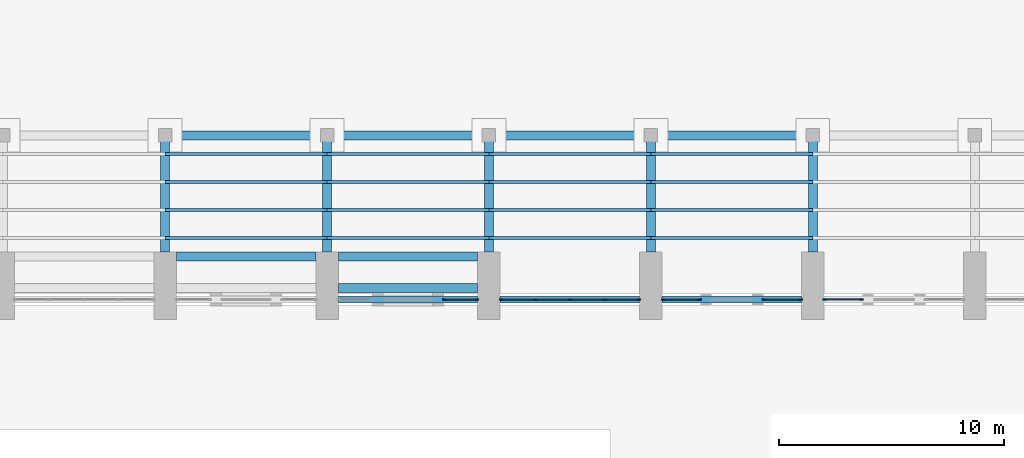
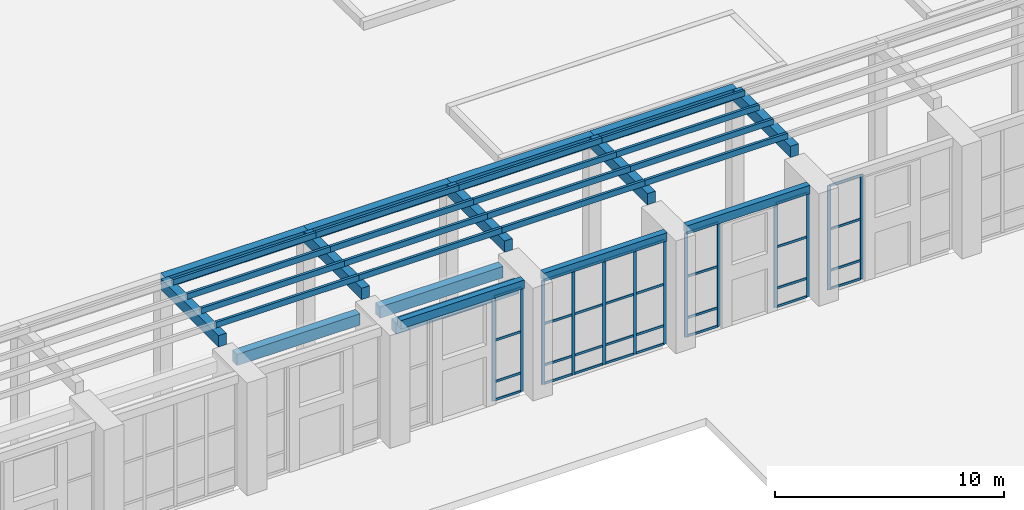
# One storey, part 18 of 70: 61 members, 15 beams, 5 elements without a shape of their own.
"""IFC4 building model written with IfcOpenShell, lengths in metres."""

from ifc_helpers import new_model, si_unit, direction, frame, origin, origin_2d, place, context, subcontext, project, spatial, rectangle, extrude, material, material_profile, profile_set, type_object, element, aggregate, save


model = new_model("IFC4")

# Units and contexts
model_context = context("Model", 3, precision=1e-05, world=origin(), true_north=direction((0.0, 1.0)))
body_context = subcontext(model_context, "Body", "Model", "MODEL_VIEW")
ifc_project = project(units=[si_unit("LENGTHUNIT", "METRE"), si_unit("AREAUNIT", "SQUARE_METRE"), si_unit("VOLUMEUNIT", "CUBIC_METRE"), si_unit("PLANEANGLEUNIT", "RADIAN"), si_unit("MASSUNIT", "GRAM", prefix="KILO")], contexts=[model_context])

# Site, building, storey
site_placement = place(None, origin())
site = spatial("IfcSite", under=ifc_project, at=site_placement, CompositionType="ELEMENT")
building_placement = place(site_placement, origin())
building = spatial("IfcBuilding", under=site, at=building_placement, Name="Vermilion Court Aquatics Centre", CompositionType="ELEMENT")
storey_placement = place(building_placement, origin())
storey = spatial("IfcBuildingStorey", under=building, at=storey_placement, Name="L00", CompositionType="ELEMENT", Elevation=0.0)

# Beams
ifc_material_1 = material(Name="Concrete 5000 psi", Category="concrete")
ifc_material_profile_1 = material_profile(ifc_material_1, rectangle(XDim=0.39990234375, YDim=0.60009765625, at=origin_2d()), Name="RC 400x600")
ifc_profile_set_1 = profile_set([ifc_material_profile_1], Name="Concrete 5000 psi")
beam_type_1 = type_object("IfcBeamType", Name="Court arcade beam RC 400x600", PredefinedType="BEAM", material=ifc_profile_set_1)
for number, where, z_axis, x_axis, name in (
    (1, (79.199951171875, 66.89990234375, 6.300048828125), (0.0, 1.0, 0.0), (-1.0, 0.0, 0.0), "Court arcade cross beam 10"),
    (2, (86.39990234375, 66.89990234375, 6.300048828125), (0.0, 1.0, 0.0), (-1.0, 0.0, 0.0), "Court arcade cross beam 11"),
    (3, (93.60009765625, 66.89990234375, 6.300048828125), (0.0, 1.0, 0.0), (-1.0, 0.0, 0.0), "Court arcade cross beam 12"),
    (4, (100.800048828125, 66.89990234375, 6.300048828125), (0.0, 1.0, 0.0), (-1.0, 0.0, 0.0), "Court arcade cross beam 13"),
    (5, (108.0, 66.89990234375, 6.300048828125), (0.0, 1.0, 0.0), (-1.0, 0.0, 0.0), "Court arcade cross beam 14"),
):
    element("IfcBeam", number, at=place(storey_placement, frame(where, z_axis=z_axis, x_axis=x_axis)), inside=storey, type_object=beam_type_1, Name=name, PredefinedType="BEAM", context=body_context, shape_type="SweptSolid", body=[
        extrude(rectangle(XDim=0.39990234375, YDim=0.60009765625, at=origin_2d()), origin(), (0.0, 0.0, 1.0), 5.0),
    ])
beam_1_placement = place(storey_placement, frame((79.199951171875, 72.10009765625, 6.300048828125), z_axis=(1.0, 0.0, 0.0), x_axis=(0.0, 1.0, 0.0)))
element("IfcBeam", 6, at=beam_1_placement, inside=storey, type_object=beam_type_1, Name="Court arcade edge beam 10", PredefinedType="BEAM", context=body_context, shape_type="SweptSolid", body=[
    extrude(rectangle(XDim=0.39990234375, YDim=0.60009765625, at=origin_2d()), origin(), (0.0, 0.0, 1.0), 7.199951171875),
])
beam_2_placement = place(storey_placement, frame((86.39990234375, 72.10009765625, 6.300048828125), z_axis=(1.0, 0.0, 0.0), x_axis=(0.0, 1.0, 0.0)))
element("IfcBeam", 7, at=beam_2_placement, inside=storey, type_object=beam_type_1, Name="Court arcade edge beam 11", PredefinedType="BEAM", context=body_context, shape_type="SweptSolid", body=[
    extrude(rectangle(XDim=0.39990234375, YDim=0.60009765625, at=origin_2d()), origin(), (0.0, 0.0, 1.0), 7.2001953125),
])
for number, where, z_axis, x_axis, name in (
    (8, (93.60009765625, 72.10009765625, 6.300048828125), (1.0, 0.0, 0.0), (0.0, 1.0, 0.0), "Court arcade edge beam 12"),
    (9, (100.800048828125, 72.10009765625, 6.300048828125), (1.0, 0.0, 0.0), (0.0, 1.0, 0.0), "Court arcade edge beam 13"),
):
    element("IfcBeam", number, at=place(storey_placement, frame(where, z_axis=z_axis, x_axis=x_axis)), inside=storey, type_object=beam_type_1, Name=name, PredefinedType="BEAM", context=body_context, shape_type="SweptSolid", body=[
        extrude(rectangle(XDim=0.39990234375, YDim=0.60009765625, at=origin_2d()), origin(), (0.0, 0.0, 1.0), 7.199951171875),
    ])

# Members
ifc_material_2 = material(Name="Glulam 24F-V4 Douglas fir", Category="wood")
ifc_material_profile_2 = material_profile(ifc_material_2, rectangle(XDim=0.1298828125, YDim=0.300048828125, at=origin_2d()), Name="GL24F 130x300")
ifc_profile_set_2 = profile_set([ifc_material_profile_2], Name="Glulam 24F-V4 Douglas fir")
member_type_1 = type_object("IfcMemberType", Name="Court arcade glulam slat GL24F 130x300", PredefinedType="MEMBER", material=ifc_profile_set_2)
for number, where, z_axis, x_axis, name in (
    (10, (79.199951171875, 67.52490234375, 6.75), (1.0, 0.0, 0.0), (0.0, 1.0, 0.0), "Court arcade slat 10.1"),
    (11, (79.199951171875, 68.77490234375, 6.75), (1.0, 0.0, 0.0), (0.0, 1.0, 0.0), "Court arcade slat 10.2"),
    (12, (79.199951171875, 70.02490234375, 6.75), (1.0, 0.0, 0.0), (0.0, 1.0, 0.0), "Court arcade slat 10.3"),
    (13, (79.199951171875, 71.27490234375, 6.75), (1.0, 0.0, 0.0), (0.0, 1.0, 0.0), "Court arcade slat 10.4"),
):
    element("IfcMember", number, at=place(storey_placement, frame(where, z_axis=z_axis, x_axis=x_axis)), inside=storey, type_object=member_type_1, Name=name, PredefinedType="MEMBER", context=body_context, shape_type="SweptSolid", body=[
        extrude(rectangle(XDim=0.1298828125, YDim=0.300048828125, at=origin_2d()), origin(), (0.0, 0.0, 1.0), 7.199951171875),
    ])
for number, where, z_axis, x_axis, name in (
    (14, (86.39990234375, 67.52490234375, 6.75), (1.0, 0.0, 0.0), (0.0, 1.0, 0.0), "Court arcade slat 11.1"),
    (15, (86.39990234375, 68.77490234375, 6.75), (1.0, 0.0, 0.0), (0.0, 1.0, 0.0), "Court arcade slat 11.2"),
    (16, (86.39990234375, 70.02490234375, 6.75), (1.0, 0.0, 0.0), (0.0, 1.0, 0.0), "Court arcade slat 11.3"),
    (17, (86.39990234375, 71.27490234375, 6.75), (1.0, 0.0, 0.0), (0.0, 1.0, 0.0), "Court arcade slat 11.4"),
):
    element("IfcMember", number, at=place(storey_placement, frame(where, z_axis=z_axis, x_axis=x_axis)), inside=storey, type_object=member_type_1, Name=name, PredefinedType="MEMBER", context=body_context, shape_type="SweptSolid", body=[
        extrude(rectangle(XDim=0.1298828125, YDim=0.300048828125, at=origin_2d()), origin(), (0.0, 0.0, 1.0), 7.2001953125),
    ])
for number, where, z_axis, x_axis, name in (
    (18, (93.60009765625, 67.52490234375, 6.75), (1.0, 0.0, 0.0), (0.0, 1.0, 0.0), "Court arcade slat 12.1"),
    (19, (93.60009765625, 68.77490234375, 6.75), (1.0, 0.0, 0.0), (0.0, 1.0, 0.0), "Court arcade slat 12.2"),
    (20, (93.60009765625, 70.02490234375, 6.75), (1.0, 0.0, 0.0), (0.0, 1.0, 0.0), "Court arcade slat 12.3"),
    (21, (93.60009765625, 71.27490234375, 6.75), (1.0, 0.0, 0.0), (0.0, 1.0, 0.0), "Court arcade slat 12.4"),
    (22, (100.800048828125, 67.52490234375, 6.75), (1.0, 0.0, 0.0), (0.0, 1.0, 0.0), "Court arcade slat 13.1"),
    (23, (100.800048828125, 68.77490234375, 6.75), (1.0, 0.0, 0.0), (0.0, 1.0, 0.0), "Court arcade slat 13.2"),
    (24, (100.800048828125, 70.02490234375, 6.75), (1.0, 0.0, 0.0), (0.0, 1.0, 0.0), "Court arcade slat 13.3"),
    (25, (100.800048828125, 71.27490234375, 6.75), (1.0, 0.0, 0.0), (0.0, 1.0, 0.0), "Court arcade slat 13.4"),
):
    element("IfcMember", number, at=place(storey_placement, frame(where, z_axis=z_axis, x_axis=x_axis)), inside=storey, type_object=member_type_1, Name=name, PredefinedType="MEMBER", context=body_context, shape_type="SweptSolid", body=[
        extrude(rectangle(XDim=0.1298828125, YDim=0.300048828125, at=origin_2d()), origin(), (0.0, 0.0, 1.0), 7.199951171875),
    ])

# Curtain wall, members
ifc_material_3 = material(Name="Aluminium 6063-T5", Category="aluminium")
curtain_wall_type = type_object("IfcCurtainWallType", Name="Envelope curtain wall hall glazing L00", PredefinedType="NOTDEFINED", material=ifc_material_3)
curtain_wall_1_placement = place(storey_placement, origin())
curtain_wall_1 = element("IfcCurtainWall", 26, at=curtain_wall_1_placement, inside=storey, type_object=curtain_wall_type, Name="Hall entrance sidelight bay 11 L00 E", PredefinedType="NOTDEFINED")
ifc_material_4 = material(Name="Aluminium 6063-T5", Category="aluminium")
ifc_material_profile_3 = material_profile(ifc_material_4, rectangle(XDim=0.06005859375, YDim=0.159912109375, at=origin_2d()), Name="AL 60x160")
ifc_profile_set_3 = profile_set([ifc_material_profile_3], Name="Aluminium 6063-T5")
member_type_2 = type_object("IfcMemberType", Name="Envelope aluminium mullion 60x160", PredefinedType="MULLION", material=ifc_profile_set_3)
member_1_placement = place(storey_placement, frame((91.6298828125, 64.800048828125, 0.0), z_axis=(0.0, 0.0, 1.0), x_axis=(0.0, 1.0, 0.0)))
member_1 = element("IfcMember", 27, at=member_1_placement, type_object=member_type_2, Name="ECW1 mullion 1", PredefinedType="MULLION", context=body_context, shape_type="SweptSolid", body=[
    extrude(rectangle(XDim=0.06005859375, YDim=0.159912109375, at=origin_2d()), origin(), (0.0, 0.0, 1.0), 5.550048828125),
])
member_2_placement = place(storey_placement, frame((93.070068359375, 64.800048828125, 0.0), z_axis=(0.0, 0.0, 1.0), x_axis=(0.0, 1.0, 0.0)))
member_2 = element("IfcMember", 28, at=member_2_placement, type_object=member_type_2, Name="ECW1 mullion 2", PredefinedType="MULLION", context=body_context, shape_type="SweptSolid", body=[
    extrude(rectangle(XDim=0.06005859375, YDim=0.159912109375, at=origin_2d()), origin(), (0.0, 0.0, 1.0), 5.550048828125),
])

curtain_wall_2_placement = place(storey_placement, origin())
curtain_wall_2 = element("IfcCurtainWall", 29, at=curtain_wall_2_placement, inside=storey, type_object=curtain_wall_type, Name="Hall glazing bay 12 L00", PredefinedType="NOTDEFINED")
member_3_placement = place(storey_placement, frame((94.1298828125, 64.800048828125, 0.0), z_axis=(0.0, 0.0, 1.0), x_axis=(0.0, 1.0, 0.0)))
member_3 = element("IfcMember", 30, at=member_3_placement, type_object=member_type_2, Name="ECW1 mullion 1", PredefinedType="MULLION", context=body_context, shape_type="SweptSolid", body=[
    extrude(rectangle(XDim=0.06005859375, YDim=0.159912109375, at=origin_2d()), origin(), (0.0, 0.0, 1.0), 5.550048828125),
])
member_4_placement = place(storey_placement, frame((95.64990234375, 64.800048828125, 0.0), z_axis=(0.0, 0.0, 1.0), x_axis=(0.0, 1.0, 0.0)))
member_4 = element("IfcMember", 31, at=member_4_placement, type_object=member_type_2, Name="ECW1 mullion 2", PredefinedType="MULLION", context=body_context, shape_type="SweptSolid", body=[
    extrude(rectangle(XDim=0.06005859375, YDim=0.159912109375, at=origin_2d()), origin(), (0.0, 0.0, 1.0), 5.550048828125),
])
member_5_placement = place(storey_placement, frame((97.199951171875, 64.800048828125, 0.0), z_axis=(0.0, 0.0, 1.0), x_axis=(0.0, 1.0, 0.0)))
member_5 = element("IfcMember", 32, at=member_5_placement, type_object=member_type_2, Name="ECW1 mullion 3", PredefinedType="MULLION", context=body_context, shape_type="SweptSolid", body=[
    extrude(rectangle(XDim=0.06005859375, YDim=0.159912109375, at=origin_2d()), origin(), (0.0, 0.0, 1.0), 5.550048828125),
])
member_6_placement = place(storey_placement, frame((98.75, 64.800048828125, 0.0), z_axis=(0.0, 0.0, 1.0), x_axis=(0.0, 1.0, 0.0)))
member_6 = element("IfcMember", 33, at=member_6_placement, type_object=member_type_2, Name="ECW1 mullion 4", PredefinedType="MULLION", context=body_context, shape_type="SweptSolid", body=[
    extrude(rectangle(XDim=0.06005859375, YDim=0.159912109375, at=origin_2d()), origin(), (0.0, 0.0, 1.0), 5.550048828125),
])
member_7_placement = place(storey_placement, frame((100.27001953125, 64.800048828125, 0.0), z_axis=(0.0, 0.0, 1.0), x_axis=(0.0, 1.0, 0.0)))
member_7 = element("IfcMember", 34, at=member_7_placement, type_object=member_type_2, Name="ECW1 mullion 5", PredefinedType="MULLION", context=body_context, shape_type="SweptSolid", body=[
    extrude(rectangle(XDim=0.06005859375, YDim=0.159912109375, at=origin_2d()), origin(), (0.0, 0.0, 1.0), 5.550048828125),
])

curtain_wall_3_placement = place(storey_placement, origin())
curtain_wall_3 = element("IfcCurtainWall", 35, at=curtain_wall_3_placement, inside=storey, type_object=curtain_wall_type, Name="Hall entrance sidelight bay 13 L00 W", PredefinedType="NOTDEFINED")
member_8_placement = place(storey_placement, frame((101.330078125, 64.800048828125, 0.0), z_axis=(0.0, 0.0, 1.0), x_axis=(0.0, 1.0, 0.0)))
member_8 = element("IfcMember", 36, at=member_8_placement, type_object=member_type_2, Name="ECW1 mullion 1", PredefinedType="MULLION", context=body_context, shape_type="SweptSolid", body=[
    extrude(rectangle(XDim=0.06005859375, YDim=0.159912109375, at=origin_2d()), origin(), (0.0, 0.0, 1.0), 5.550048828125),
])
member_9_placement = place(storey_placement, frame((102.969970703125, 64.800048828125, 0.0), z_axis=(0.0, 0.0, 1.0), x_axis=(0.0, 1.0, 0.0)))
member_9 = element("IfcMember", 37, at=member_9_placement, type_object=member_type_2, Name="ECW1 mullion 2", PredefinedType="MULLION", context=body_context, shape_type="SweptSolid", body=[
    extrude(rectangle(XDim=0.06005859375, YDim=0.159912109375, at=origin_2d()), origin(), (0.0, 0.0, 1.0), 5.550048828125),
])

curtain_wall_4_placement = place(storey_placement, origin())
curtain_wall_4 = element("IfcCurtainWall", 38, at=curtain_wall_4_placement, inside=storey, type_object=curtain_wall_type, Name="Hall entrance sidelight bay 13 L00 E", PredefinedType="NOTDEFINED")
member_10_placement = place(storey_placement, frame((105.830078125, 64.800048828125, 0.0), z_axis=(0.0, 0.0, 1.0), x_axis=(0.0, 1.0, 0.0)))
member_10 = element("IfcMember", 39, at=member_10_placement, type_object=member_type_2, Name="ECW1 mullion 1", PredefinedType="MULLION", context=body_context, shape_type="SweptSolid", body=[
    extrude(rectangle(XDim=0.06005859375, YDim=0.159912109375, at=origin_2d()), origin(), (0.0, 0.0, 1.0), 5.550048828125),
])
member_11_placement = place(storey_placement, frame((107.469970703125, 64.800048828125, 0.0), z_axis=(0.0, 0.0, 1.0), x_axis=(0.0, 1.0, 0.0)))
member_11 = element("IfcMember", 40, at=member_11_placement, type_object=member_type_2, Name="ECW1 mullion 2", PredefinedType="MULLION", context=body_context, shape_type="SweptSolid", body=[
    extrude(rectangle(XDim=0.06005859375, YDim=0.159912109375, at=origin_2d()), origin(), (0.0, 0.0, 1.0), 5.550048828125),
])

curtain_wall_5_placement = place(storey_placement, origin())
curtain_wall_5 = element("IfcCurtainWall", 41, at=curtain_wall_5_placement, inside=storey, type_object=curtain_wall_type, Name="Hall entrance sidelight bay 14 L00 W", PredefinedType="NOTDEFINED")
member_12_placement = place(storey_placement, frame((108.530029296875, 64.800048828125, 0.0), z_axis=(0.0, 0.0, 1.0), x_axis=(0.0, 1.0, 0.0)))
member_12 = element("IfcMember", 42, at=member_12_placement, type_object=member_type_2, Name="ECW1 mullion 1", PredefinedType="MULLION", context=body_context, shape_type="SweptSolid", body=[
    extrude(rectangle(XDim=0.06005859375, YDim=0.159912109375, at=origin_2d()), origin(), (0.0, 0.0, 1.0), 5.550048828125),
])
member_13_placement = place(storey_placement, frame((110.169921875, 64.800048828125, 0.0), z_axis=(0.0, 0.0, 1.0), x_axis=(0.0, 1.0, 0.0)))
member_13 = element("IfcMember", 43, at=member_13_placement, type_object=member_type_2, Name="ECW1 mullion 2", PredefinedType="MULLION", context=body_context, shape_type="SweptSolid", body=[
    extrude(rectangle(XDim=0.06005859375, YDim=0.159912109375, at=origin_2d()), origin(), (0.0, 0.0, 1.0), 5.550048828125),
])

# Member
ifc_material_5 = material(Name="Aluminium 6063-T5", Category="aluminium")
ifc_material_profile_4 = material_profile(ifc_material_5, rectangle(XDim=0.06005859375, YDim=0.1201171875, at=origin_2d()), Name="AL 60x120")
ifc_profile_set_4 = profile_set([ifc_material_profile_4], Name="Aluminium 6063-T5")
member_type_3 = type_object("IfcMemberType", Name="Envelope aluminium transom 60x120", PredefinedType="USERDEFINED", material=ifc_profile_set_4)
member_14_placement = place(storey_placement, frame((91.659912109375, 64.800048828125, 0.030029296875), z_axis=(1.0, 0.0, 0.0), x_axis=(0.0, 1.0, 0.0)))
member_14 = element("IfcMember", 44, at=member_14_placement, type_object=member_type_3, Name="ECW1 transom 1.1", ObjectType="TRANSOM", PredefinedType="USERDEFINED", context=body_context, shape_type="SweptSolid", body=[
    extrude(rectangle(XDim=0.06005859375, YDim=0.1201171875, at=origin_2d()), origin(), (0.0, 0.0, 1.0), 1.380126953125),
])

member_15_placement = place(storey_placement, frame((91.659912109375, 64.800048828125, 1.0), z_axis=(1.0, 0.0, 0.0), x_axis=(0.0, 1.0, 0.0)))
member_15 = element("IfcMember", 45, at=member_15_placement, type_object=member_type_3, Name="ECW1 transom 1.2", ObjectType="TRANSOM", PredefinedType="USERDEFINED", context=body_context, shape_type="SweptSolid", body=[
    extrude(rectangle(XDim=0.06005859375, YDim=0.1201171875, at=origin_2d()), origin(), (0.0, 0.0, 1.0), 1.380126953125),
])

member_16_placement = place(storey_placement, frame((91.659912109375, 64.800048828125, 3.199951171875), z_axis=(1.0, 0.0, 0.0), x_axis=(0.0, 1.0, 0.0)))
member_16 = element("IfcMember", 46, at=member_16_placement, type_object=member_type_3, Name="ECW1 transom 1.3", ObjectType="TRANSOM", PredefinedType="USERDEFINED", context=body_context, shape_type="SweptSolid", body=[
    extrude(rectangle(XDim=0.06005859375, YDim=0.1201171875, at=origin_2d()), origin(), (0.0, 0.0, 1.0), 1.380126953125),
])

member_17_placement = place(storey_placement, frame((91.659912109375, 64.800048828125, 5.52001953125), z_axis=(1.0, 0.0, 0.0), x_axis=(0.0, 1.0, 0.0)))
member_17 = element("IfcMember", 47, at=member_17_placement, type_object=member_type_3, Name="ECW1 transom 1.4", ObjectType="TRANSOM", PredefinedType="USERDEFINED", context=body_context, shape_type="SweptSolid", body=[
    extrude(rectangle(XDim=0.06005859375, YDim=0.1201171875, at=origin_2d()), origin(), (0.0, 0.0, 1.0), 1.380126953125),
])

aggregate(curtain_wall_1, [member_1, member_2, member_14, member_15, member_16, member_17])

member_18_placement = place(storey_placement, frame((94.159912109375, 64.800048828125, 0.030029296875), z_axis=(1.0, 0.0, 0.0), x_axis=(0.0, 1.0, 0.0)))
member_18 = element("IfcMember", 48, at=member_18_placement, type_object=member_type_3, Name="ECW1 transom 1.1", ObjectType="TRANSOM", PredefinedType="USERDEFINED", context=body_context, shape_type="SweptSolid", body=[
    extrude(rectangle(XDim=0.06005859375, YDim=0.1201171875, at=origin_2d()), origin(), (0.0, 0.0, 1.0), 1.460205078125),
])

member_19_placement = place(storey_placement, frame((94.159912109375, 64.800048828125, 1.0), z_axis=(1.0, 0.0, 0.0), x_axis=(0.0, 1.0, 0.0)))
member_19 = element("IfcMember", 49, at=member_19_placement, type_object=member_type_3, Name="ECW1 transom 1.2", ObjectType="TRANSOM", PredefinedType="USERDEFINED", context=body_context, shape_type="SweptSolid", body=[
    extrude(rectangle(XDim=0.06005859375, YDim=0.1201171875, at=origin_2d()), origin(), (0.0, 0.0, 1.0), 1.460205078125),
])

member_20_placement = place(storey_placement, frame((94.159912109375, 64.800048828125, 3.199951171875), z_axis=(1.0, 0.0, 0.0), x_axis=(0.0, 1.0, 0.0)))
member_20 = element("IfcMember", 50, at=member_20_placement, type_object=member_type_3, Name="ECW1 transom 1.3", ObjectType="TRANSOM", PredefinedType="USERDEFINED", context=body_context, shape_type="SweptSolid", body=[
    extrude(rectangle(XDim=0.06005859375, YDim=0.1201171875, at=origin_2d()), origin(), (0.0, 0.0, 1.0), 1.460205078125),
])

member_21_placement = place(storey_placement, frame((94.159912109375, 64.800048828125, 5.52001953125), z_axis=(1.0, 0.0, 0.0), x_axis=(0.0, 1.0, 0.0)))
member_21 = element("IfcMember", 51, at=member_21_placement, type_object=member_type_3, Name="ECW1 transom 1.4", ObjectType="TRANSOM", PredefinedType="USERDEFINED", context=body_context, shape_type="SweptSolid", body=[
    extrude(rectangle(XDim=0.06005859375, YDim=0.1201171875, at=origin_2d()), origin(), (0.0, 0.0, 1.0), 1.460205078125),
])

member_22_placement = place(storey_placement, frame((95.679931640625, 64.800048828125, 0.030029296875), z_axis=(1.0, 0.0, 0.0), x_axis=(0.0, 1.0, 0.0)))
member_22 = element("IfcMember", 52, at=member_22_placement, type_object=member_type_3, Name="ECW1 transom 2.1", ObjectType="TRANSOM", PredefinedType="USERDEFINED", context=body_context, shape_type="SweptSolid", body=[
    extrude(rectangle(XDim=0.06005859375, YDim=0.1201171875, at=origin_2d()), origin(), (0.0, 0.0, 1.0), 1.489990234375),
])

member_23_placement = place(storey_placement, frame((95.679931640625, 64.800048828125, 1.0), z_axis=(1.0, 0.0, 0.0), x_axis=(0.0, 1.0, 0.0)))
member_23 = element("IfcMember", 53, at=member_23_placement, type_object=member_type_3, Name="ECW1 transom 2.2", ObjectType="TRANSOM", PredefinedType="USERDEFINED", context=body_context, shape_type="SweptSolid", body=[
    extrude(rectangle(XDim=0.06005859375, YDim=0.1201171875, at=origin_2d()), origin(), (0.0, 0.0, 1.0), 1.489990234375),
])

member_24_placement = place(storey_placement, frame((95.679931640625, 64.800048828125, 3.199951171875), z_axis=(1.0, 0.0, 0.0), x_axis=(0.0, 1.0, 0.0)))
member_24 = element("IfcMember", 54, at=member_24_placement, type_object=member_type_3, Name="ECW1 transom 2.3", ObjectType="TRANSOM", PredefinedType="USERDEFINED", context=body_context, shape_type="SweptSolid", body=[
    extrude(rectangle(XDim=0.06005859375, YDim=0.1201171875, at=origin_2d()), origin(), (0.0, 0.0, 1.0), 1.489990234375),
])

member_25_placement = place(storey_placement, frame((95.679931640625, 64.800048828125, 5.52001953125), z_axis=(1.0, 0.0, 0.0), x_axis=(0.0, 1.0, 0.0)))
member_25 = element("IfcMember", 55, at=member_25_placement, type_object=member_type_3, Name="ECW1 transom 2.4", ObjectType="TRANSOM", PredefinedType="USERDEFINED", context=body_context, shape_type="SweptSolid", body=[
    extrude(rectangle(XDim=0.06005859375, YDim=0.1201171875, at=origin_2d()), origin(), (0.0, 0.0, 1.0), 1.489990234375),
])

member_26_placement = place(storey_placement, frame((97.22998046875, 64.800048828125, 0.030029296875), z_axis=(1.0, 0.0, 0.0), x_axis=(0.0, 1.0, 0.0)))
member_26 = element("IfcMember", 56, at=member_26_placement, type_object=member_type_3, Name="ECW1 transom 3.1", ObjectType="TRANSOM", PredefinedType="USERDEFINED", context=body_context, shape_type="SweptSolid", body=[
    extrude(rectangle(XDim=0.06005859375, YDim=0.1201171875, at=origin_2d()), origin(), (0.0, 0.0, 1.0), 1.489990234375),
])

member_27_placement = place(storey_placement, frame((97.22998046875, 64.800048828125, 1.0), z_axis=(1.0, 0.0, 0.0), x_axis=(0.0, 1.0, 0.0)))
member_27 = element("IfcMember", 57, at=member_27_placement, type_object=member_type_3, Name="ECW1 transom 3.2", ObjectType="TRANSOM", PredefinedType="USERDEFINED", context=body_context, shape_type="SweptSolid", body=[
    extrude(rectangle(XDim=0.06005859375, YDim=0.1201171875, at=origin_2d()), origin(), (0.0, 0.0, 1.0), 1.489990234375),
])

member_28_placement = place(storey_placement, frame((97.22998046875, 64.800048828125, 3.199951171875), z_axis=(1.0, 0.0, 0.0), x_axis=(0.0, 1.0, 0.0)))
member_28 = element("IfcMember", 58, at=member_28_placement, type_object=member_type_3, Name="ECW1 transom 3.3", ObjectType="TRANSOM", PredefinedType="USERDEFINED", context=body_context, shape_type="SweptSolid", body=[
    extrude(rectangle(XDim=0.06005859375, YDim=0.1201171875, at=origin_2d()), origin(), (0.0, 0.0, 1.0), 1.489990234375),
])

member_29_placement = place(storey_placement, frame((97.22998046875, 64.800048828125, 5.52001953125), z_axis=(1.0, 0.0, 0.0), x_axis=(0.0, 1.0, 0.0)))
member_29 = element("IfcMember", 59, at=member_29_placement, type_object=member_type_3, Name="ECW1 transom 3.4", ObjectType="TRANSOM", PredefinedType="USERDEFINED", context=body_context, shape_type="SweptSolid", body=[
    extrude(rectangle(XDim=0.06005859375, YDim=0.1201171875, at=origin_2d()), origin(), (0.0, 0.0, 1.0), 1.489990234375),
])

member_30_placement = place(storey_placement, frame((98.780029296875, 64.800048828125, 0.030029296875), z_axis=(1.0, 0.0, 0.0), x_axis=(0.0, 1.0, 0.0)))
member_30 = element("IfcMember", 60, at=member_30_placement, type_object=member_type_3, Name="ECW1 transom 4.1", ObjectType="TRANSOM", PredefinedType="USERDEFINED", context=body_context, shape_type="SweptSolid", body=[
    extrude(rectangle(XDim=0.06005859375, YDim=0.1201171875, at=origin_2d()), origin(), (0.0, 0.0, 1.0), 1.4599609375),
])

member_31_placement = place(storey_placement, frame((98.780029296875, 64.800048828125, 1.0), z_axis=(1.0, 0.0, 0.0), x_axis=(0.0, 1.0, 0.0)))
member_31 = element("IfcMember", 61, at=member_31_placement, type_object=member_type_3, Name="ECW1 transom 4.2", ObjectType="TRANSOM", PredefinedType="USERDEFINED", context=body_context, shape_type="SweptSolid", body=[
    extrude(rectangle(XDim=0.06005859375, YDim=0.1201171875, at=origin_2d()), origin(), (0.0, 0.0, 1.0), 1.4599609375),
])

member_32_placement = place(storey_placement, frame((98.780029296875, 64.800048828125, 3.199951171875), z_axis=(1.0, 0.0, 0.0), x_axis=(0.0, 1.0, 0.0)))
member_32 = element("IfcMember", 62, at=member_32_placement, type_object=member_type_3, Name="ECW1 transom 4.3", ObjectType="TRANSOM", PredefinedType="USERDEFINED", context=body_context, shape_type="SweptSolid", body=[
    extrude(rectangle(XDim=0.06005859375, YDim=0.1201171875, at=origin_2d()), origin(), (0.0, 0.0, 1.0), 1.4599609375),
])

member_33_placement = place(storey_placement, frame((98.780029296875, 64.800048828125, 5.52001953125), z_axis=(1.0, 0.0, 0.0), x_axis=(0.0, 1.0, 0.0)))
member_33 = element("IfcMember", 63, at=member_33_placement, type_object=member_type_3, Name="ECW1 transom 4.4", ObjectType="TRANSOM", PredefinedType="USERDEFINED", context=body_context, shape_type="SweptSolid", body=[
    extrude(rectangle(XDim=0.06005859375, YDim=0.1201171875, at=origin_2d()), origin(), (0.0, 0.0, 1.0), 1.4599609375),
])

aggregate(curtain_wall_2, [member_3, member_4, member_5, member_6, member_7, member_18, member_19, member_20, member_21, member_22, member_23, member_24, member_25, member_26, member_27, member_28, member_29, member_30, member_31, member_32, member_33])

member_34_placement = place(storey_placement, frame((101.360107421875, 64.800048828125, 0.030029296875), z_axis=(1.0, 0.0, 0.0), x_axis=(0.0, 1.0, 0.0)))
member_34 = element("IfcMember", 64, at=member_34_placement, type_object=member_type_3, Name="ECW1 transom 1.1", ObjectType="TRANSOM", PredefinedType="USERDEFINED", context=body_context, shape_type="SweptSolid", body=[
    extrude(rectangle(XDim=0.06005859375, YDim=0.1201171875, at=origin_2d()), origin(), (0.0, 0.0, 1.0), 1.579833984375),
])

member_35_placement = place(storey_placement, frame((101.360107421875, 64.800048828125, 1.0), z_axis=(1.0, 0.0, 0.0), x_axis=(0.0, 1.0, 0.0)))
member_35 = element("IfcMember", 65, at=member_35_placement, type_object=member_type_3, Name="ECW1 transom 1.2", ObjectType="TRANSOM", PredefinedType="USERDEFINED", context=body_context, shape_type="SweptSolid", body=[
    extrude(rectangle(XDim=0.06005859375, YDim=0.1201171875, at=origin_2d()), origin(), (0.0, 0.0, 1.0), 1.579833984375),
])

member_36_placement = place(storey_placement, frame((101.360107421875, 64.800048828125, 3.199951171875), z_axis=(1.0, 0.0, 0.0), x_axis=(0.0, 1.0, 0.0)))
member_36 = element("IfcMember", 66, at=member_36_placement, type_object=member_type_3, Name="ECW1 transom 1.3", ObjectType="TRANSOM", PredefinedType="USERDEFINED", context=body_context, shape_type="SweptSolid", body=[
    extrude(rectangle(XDim=0.06005859375, YDim=0.1201171875, at=origin_2d()), origin(), (0.0, 0.0, 1.0), 1.579833984375),
])

member_37_placement = place(storey_placement, frame((101.360107421875, 64.800048828125, 5.52001953125), z_axis=(1.0, 0.0, 0.0), x_axis=(0.0, 1.0, 0.0)))
member_37 = element("IfcMember", 67, at=member_37_placement, type_object=member_type_3, Name="ECW1 transom 1.4", ObjectType="TRANSOM", PredefinedType="USERDEFINED", context=body_context, shape_type="SweptSolid", body=[
    extrude(rectangle(XDim=0.06005859375, YDim=0.1201171875, at=origin_2d()), origin(), (0.0, 0.0, 1.0), 1.579833984375),
])

aggregate(curtain_wall_3, [member_8, member_9, member_34, member_35, member_36, member_37])

member_38_placement = place(storey_placement, frame((105.860107421875, 64.800048828125, 0.030029296875), z_axis=(1.0, 0.0, 0.0), x_axis=(0.0, 1.0, 0.0)))
member_38 = element("IfcMember", 68, at=member_38_placement, type_object=member_type_3, Name="ECW1 transom 1.1", ObjectType="TRANSOM", PredefinedType="USERDEFINED", context=body_context, shape_type="SweptSolid", body=[
    extrude(rectangle(XDim=0.06005859375, YDim=0.1201171875, at=origin_2d()), origin(), (0.0, 0.0, 1.0), 1.579833984375),
])

member_39_placement = place(storey_placement, frame((105.860107421875, 64.800048828125, 1.0), z_axis=(1.0, 0.0, 0.0), x_axis=(0.0, 1.0, 0.0)))
member_39 = element("IfcMember", 69, at=member_39_placement, type_object=member_type_3, Name="ECW1 transom 1.2", ObjectType="TRANSOM", PredefinedType="USERDEFINED", context=body_context, shape_type="SweptSolid", body=[
    extrude(rectangle(XDim=0.06005859375, YDim=0.1201171875, at=origin_2d()), origin(), (0.0, 0.0, 1.0), 1.579833984375),
])

member_40_placement = place(storey_placement, frame((105.860107421875, 64.800048828125, 3.199951171875), z_axis=(1.0, 0.0, 0.0), x_axis=(0.0, 1.0, 0.0)))
member_40 = element("IfcMember", 70, at=member_40_placement, type_object=member_type_3, Name="ECW1 transom 1.3", ObjectType="TRANSOM", PredefinedType="USERDEFINED", context=body_context, shape_type="SweptSolid", body=[
    extrude(rectangle(XDim=0.06005859375, YDim=0.1201171875, at=origin_2d()), origin(), (0.0, 0.0, 1.0), 1.579833984375),
])

member_41_placement = place(storey_placement, frame((105.860107421875, 64.800048828125, 5.52001953125), z_axis=(1.0, 0.0, 0.0), x_axis=(0.0, 1.0, 0.0)))
member_41 = element("IfcMember", 71, at=member_41_placement, type_object=member_type_3, Name="ECW1 transom 1.4", ObjectType="TRANSOM", PredefinedType="USERDEFINED", context=body_context, shape_type="SweptSolid", body=[
    extrude(rectangle(XDim=0.06005859375, YDim=0.1201171875, at=origin_2d()), origin(), (0.0, 0.0, 1.0), 1.579833984375),
])

aggregate(curtain_wall_4, [member_10, member_11, member_38, member_39, member_40, member_41])

member_42_placement = place(storey_placement, frame((108.56005859375, 64.800048828125, 0.030029296875), z_axis=(1.0, 0.0, 0.0), x_axis=(0.0, 1.0, 0.0)))
member_42 = element("IfcMember", 72, at=member_42_placement, type_object=member_type_3, Name="ECW1 transom 1.1", ObjectType="TRANSOM", PredefinedType="USERDEFINED", context=body_context, shape_type="SweptSolid", body=[
    extrude(rectangle(XDim=0.06005859375, YDim=0.1201171875, at=origin_2d()), origin(), (0.0, 0.0, 1.0), 1.579833984375),
])

member_43_placement = place(storey_placement, frame((108.56005859375, 64.800048828125, 1.0), z_axis=(1.0, 0.0, 0.0), x_axis=(0.0, 1.0, 0.0)))
member_43 = element("IfcMember", 73, at=member_43_placement, type_object=member_type_3, Name="ECW1 transom 1.2", ObjectType="TRANSOM", PredefinedType="USERDEFINED", context=body_context, shape_type="SweptSolid", body=[
    extrude(rectangle(XDim=0.06005859375, YDim=0.1201171875, at=origin_2d()), origin(), (0.0, 0.0, 1.0), 1.579833984375),
])

member_44_placement = place(storey_placement, frame((108.56005859375, 64.800048828125, 3.199951171875), z_axis=(1.0, 0.0, 0.0), x_axis=(0.0, 1.0, 0.0)))
member_44 = element("IfcMember", 74, at=member_44_placement, type_object=member_type_3, Name="ECW1 transom 1.3", ObjectType="TRANSOM", PredefinedType="USERDEFINED", context=body_context, shape_type="SweptSolid", body=[
    extrude(rectangle(XDim=0.06005859375, YDim=0.1201171875, at=origin_2d()), origin(), (0.0, 0.0, 1.0), 1.579833984375),
])

member_45_placement = place(storey_placement, frame((108.56005859375, 64.800048828125, 5.52001953125), z_axis=(1.0, 0.0, 0.0), x_axis=(0.0, 1.0, 0.0)))
member_45 = element("IfcMember", 75, at=member_45_placement, type_object=member_type_3, Name="ECW1 transom 1.4", ObjectType="TRANSOM", PredefinedType="USERDEFINED", context=body_context, shape_type="SweptSolid", body=[
    extrude(rectangle(XDim=0.06005859375, YDim=0.1201171875, at=origin_2d()), origin(), (0.0, 0.0, 1.0), 1.579833984375),
])

aggregate(curtain_wall_5, [member_12, member_13, member_42, member_43, member_44, member_45])

# Beams
ifc_material_6 = material(Name="Concrete 5000 psi", Category="concrete")
ifc_material_profile_5 = material_profile(ifc_material_6, rectangle(XDim=0.39990234375, YDim=0.60009765625, at=origin_2d()), Name="RC 400x600")
ifc_profile_set_5 = profile_set([ifc_material_profile_5], Name="Concrete 5000 psi")
beam_type_2 = type_object("IfcBeamType", Name="Envelope north entrance canopy edge beam RC 400x600", PredefinedType="BEAM", material=ifc_profile_set_5)
beam_3_placement = place(storey_placement, frame((79.699951171875, 66.699951171875, 5.300048828125), z_axis=(1.0, 0.0, 0.0), x_axis=(0.0, 1.0, 0.0)))
element("IfcBeam", 76, at=beam_3_placement, inside=storey, type_object=beam_type_2, Name="North entrance canopy front beam 10", PredefinedType="BEAM", context=body_context, shape_type="SweptSolid", body=[
    extrude(rectangle(XDim=0.39990234375, YDim=0.60009765625, at=origin_2d()), origin(), (0.0, 0.0, 1.0), 6.199951171875),
])
for number, where, z_axis, x_axis, name in (
    (77, (86.89990234375, 65.300048828125, 5.300048828125), (1.0, 0.0, 0.0), (0.0, 1.0, 0.0), "North entrance canopy beam 11"),
    (78, (86.89990234375, 66.699951171875, 5.300048828125), (1.0, 0.0, 0.0), (0.0, 1.0, 0.0), "North entrance canopy front beam 11"),
):
    element("IfcBeam", number, at=place(storey_placement, frame(where, z_axis=z_axis, x_axis=x_axis)), inside=storey, type_object=beam_type_2, Name=name, PredefinedType="BEAM", context=body_context, shape_type="SweptSolid", body=[
        extrude(rectangle(XDim=0.39990234375, YDim=0.60009765625, at=origin_2d()), origin(), (0.0, 0.0, 1.0), 6.2001953125),
    ])
ifc_material_7 = material(Name="Concrete 5000 psi", Category="concrete")
ifc_material_profile_6 = material_profile(ifc_material_7, rectangle(XDim=0.300048828125, YDim=0.449951171875, at=origin_2d()), Name="RC 300x450")
ifc_profile_set_6 = profile_set([ifc_material_profile_6], Name="Concrete 5000 psi")
beam_type_3 = type_object("IfcBeamType", Name="Envelope north wall head beam RC 300x450", PredefinedType="BEAM", material=ifc_profile_set_6)
beam_4_placement = place(storey_placement, frame((86.89990234375, 64.800048828125, 5.77490234375), z_axis=(1.0, 0.0, 0.0), x_axis=(0.0, 1.0, 0.0)))
element("IfcBeam", 79, at=beam_4_placement, inside=storey, type_object=beam_type_3, Name="North wall head beam 11", PredefinedType="BEAM", context=body_context, shape_type="SweptSolid", body=[
    extrude(rectangle(XDim=0.300048828125, YDim=0.449951171875, at=origin_2d()), origin(), (0.0, 0.0, 1.0), 6.2001953125),
])
for number, where, z_axis, x_axis, name in (
    (80, (94.10009765625, 64.800048828125, 5.77490234375), (1.0, 0.0, 0.0), (0.0, 1.0, 0.0), "North wall head beam 12"),
    (81, (101.300048828125, 64.800048828125, 5.77490234375), (1.0, 0.0, 0.0), (0.0, 1.0, 0.0), "North wall head beam 13"),
):
    element("IfcBeam", number, at=place(storey_placement, frame(where, z_axis=z_axis, x_axis=x_axis)), inside=storey, type_object=beam_type_3, Name=name, PredefinedType="BEAM", context=body_context, shape_type="SweptSolid", body=[
        extrude(rectangle(XDim=0.300048828125, YDim=0.449951171875, at=origin_2d()), origin(), (0.0, 0.0, 1.0), 6.199951171875),
    ])

save(model, "model.ifc")
